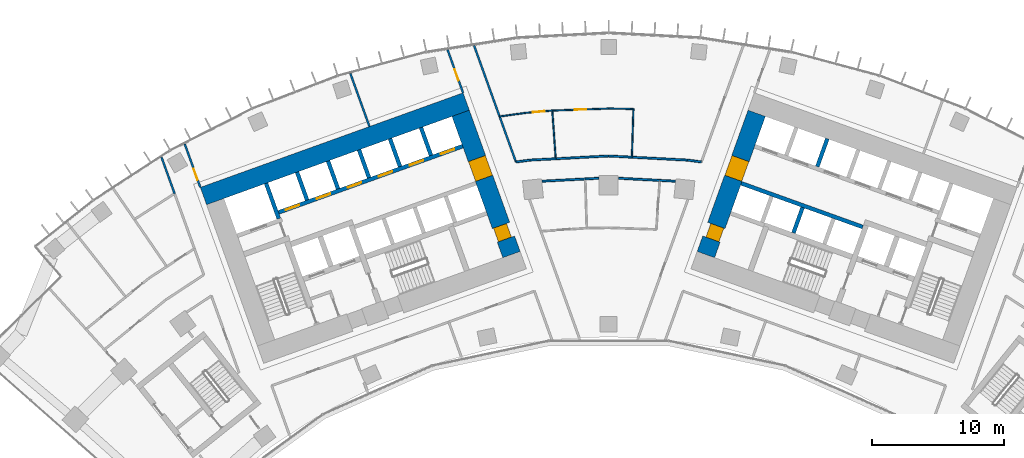
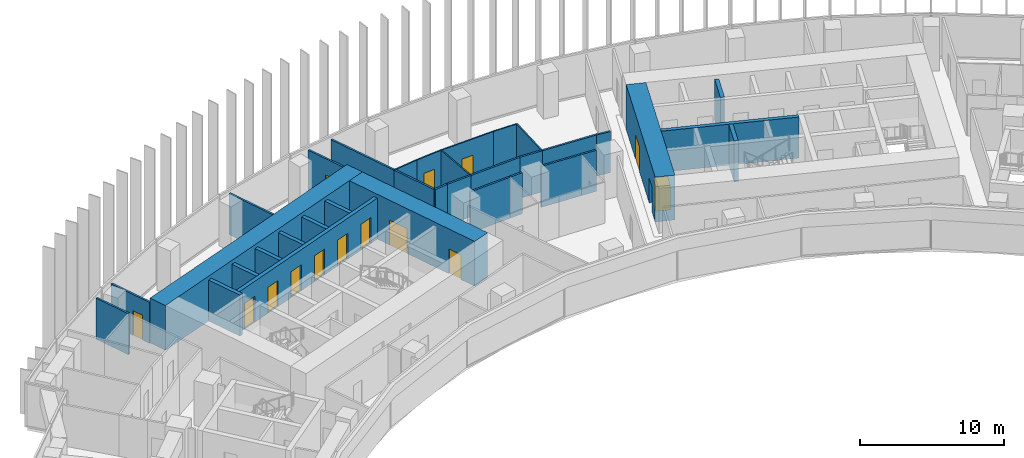
# One storey, part 17 of 22: 35 walls, 14 doors, 14 openings.
"""IFC4 building model written with IfcOpenShell, lengths in metres."""

from ifc_helpers import new_model, si_unit, direction, frame, frame_2d, origin, place, context, subcontext, project, spatial, rectangle, extrude, material, layer, layer_set, type_object, element, fill, save


model = new_model("IFC4")

# Units and contexts
model_context = context("Model", 3, precision=1e-05, world=origin(), true_north=direction((0.0, 1.0)))
body_context = subcontext(model_context, "Body", "Model", "MODEL_VIEW")
ifc_project = project(units=[si_unit("LENGTHUNIT", "METRE"), si_unit("AREAUNIT", "SQUARE_METRE"), si_unit("VOLUMEUNIT", "CUBIC_METRE"), si_unit("PLANEANGLEUNIT", "RADIAN"), si_unit("MASSUNIT", "GRAM", prefix="KILO")], contexts=[model_context])

# Site, building, storey
site_placement = place(None, origin())
site = spatial("IfcSite", under=ifc_project, at=site_placement, CompositionType="ELEMENT")
building_placement = place(site_placement, origin())
building = spatial("IfcBuilding", under=site, at=building_placement, Name="Stone Belt Terrace Tower", CompositionType="ELEMENT")
storey_placement = place(building_placement, frame((0.0, 0.0, 121.199951171875)))
storey = spatial("IfcBuildingStorey", under=building, at=storey_placement, Name="L29", CompositionType="ELEMENT", Elevation=121.199951171875)

# Wall
ifc_material_1 = material(Name="Concrete B80", Category="concrete")
ifc_layer_1 = layer(ifc_material_1, 1.39990234375)
ifc_layer_set_1 = layer_set([ifc_layer_1], Name="Core wall 1400 B80")
wall_type_1 = type_object("IfcWallType", Name="Core wall 1400 B80", PredefinedType="SHEAR", material=ifc_layer_set_1)
wall_1_placement = place(storey_placement, frame((-30.765380859375, 54.18310546875, 0.0), z_axis=(0.0, 0.0, 1.0), x_axis=(0.940919704758, 0.338629752382, 0.0)))
element("IfcWall", 1, at=wall_1_placement, inside=storey, type_object=wall_type_1, Name="Core A wall convex L29", PredefinedType="SHEAR", context=body_context, shape_type="SweptSolid", body=[
    extrude(rectangle(XDim=21.199951171875, YDim=1.39990234375, at=frame_2d((10.60009765625, 0.0))), origin(), (0.0, 0.0, 1.0), 3.800048828125),
])

# Wall, openings, doors
wall_2_placement = place(storey_placement, frame((-7.379150390625, 49.73974609375, 0.0), z_axis=(0.0, 0.0, 1.0), x_axis=(-0.338625431531, 0.940921259788, 0.0)))
wall_2 = element("IfcWall", 2, at=wall_2_placement, inside=storey, type_object=wall_type_1, Name="Core A wall end_b L29", PredefinedType="SHEAR", context=body_context, shape_type="SweptSolid", body=[
    extrude(rectangle(XDim=11.400146484375, YDim=1.39990234375, at=frame_2d((5.7001953125, 0.0))), origin(), (0.0, 0.0, 1.0), 3.800048828125),
])
opening_1_placement = place(wall_2_placement, frame((6.14990234375, 0.0, 0.0)))
opening_1 = element("IfcOpeningElement", 3, at=opening_1_placement, cuts=wall_2, Name="Opening L29-C02", PredefinedType="OPENING", context=body_context, shape_type="SweptSolid", body=[
    extrude(rectangle(XDim=1.60009765625, YDim=2.10009765625, at=frame_2d((0.800048828125, 1.050048828125))), frame((0.0, 0.7099609375, 0.0), z_axis=(0.0, -1.0, 0.0), x_axis=(1.0, 0.0, 0.0)), (0.0, 0.0, 1.0), 1.419921875),
])
opening_2_placement = place(wall_2_placement, frame((1.25, 0.0, 0.0)))
opening_2 = element("IfcOpeningElement", 4, at=opening_2_placement, cuts=wall_2, Name="Opening L29-C08", PredefinedType="OPENING", context=body_context, shape_type="SweptSolid", body=[
    extrude(rectangle(XDim=1.10009765625, YDim=2.10009765625, at=frame_2d((0.550048828125, 1.050048828125))), frame((0.0, 0.7099609375, 0.0), z_axis=(0.0, -1.0, 0.0), x_axis=(1.0, 0.0, 0.0)), (0.0, 0.0, 1.0), 1.419921875),
])
ifc_material_2 = material(Name="Timber door leaf", Category="wood")
door_type_1 = type_object("IfcDoorType", Name="Core room door 1100", OperationType="SINGLE_SWING_LEFT", PredefinedType="DOOR", material=ifc_material_2)
door_1_placement = place(opening_2_placement, origin())
door_1 = element("IfcDoor", 5, at=door_1_placement, inside=storey, type_object=door_type_1, Name="Door to Electrical riser room core A", OperationType="SINGLE_SWING_RIGHT", OverallHeight=2.10009765625, OverallWidth=1.10009765625, PredefinedType="DOOR", context=body_context, shape_type="SweptSolid", body=[
    extrude(rectangle(XDim=1.10009765625, YDim=2.10009765625, at=frame_2d((0.550048828125, 1.050048828125))), frame((0.0, 0.60498046875, 0.0), z_axis=(0.0, -1.0, 0.0), x_axis=(1.0, 0.0, 0.0)), (0.0, 0.0, 1.0), 1.050048828125),
])
fill(opening_2, door_1)
ifc_material_3 = material(Name="Glazed aluminium door leaf", Category="aluminium")
door_type_2 = type_object("IfcDoorType", Name="Lift lobby entrance door 1600", OperationType="DOUBLE_DOOR_SINGLE_SWING", PredefinedType="DOOR", material=ifc_material_3)
door_2_placement = place(opening_1_placement, origin())
door_2 = element("IfcDoor", 6, at=door_2_placement, inside=storey, type_object=door_type_2, Name="Lift lobby entrance door core A", OperationType="DOUBLE_DOOR_SINGLE_SWING", OverallHeight=2.10009765625, OverallWidth=1.60009765625, PredefinedType="DOOR", context=body_context, shape_type="SweptSolid", body=[
    extrude(rectangle(XDim=1.60009765625, YDim=2.10009765625, at=frame_2d((0.800048828125, 1.050048828125))), frame((0.0, 0.68017578125, 0.0), z_axis=(0.0, -1.0, 0.0), x_axis=(1.0, 0.0, 0.0)), (0.0, 0.0, 1.0), 1.360107421875),
])
fill(opening_1, door_2)

wall_3_placement = place(storey_placement, frame((7.379150390625, 49.73974609375, 0.0), z_axis=(0.0, 0.0, 1.0), x_axis=(0.338625431531, 0.940921259788, 0.0)))
wall_3 = element("IfcWall", 7, at=wall_3_placement, inside=storey, type_object=wall_type_1, Name="Core B wall end_a L29", PredefinedType="SHEAR", context=body_context, shape_type="SweptSolid", body=[
    extrude(rectangle(XDim=11.400146484375, YDim=1.39990234375, at=frame_2d((5.7001953125, 0.0))), origin(), (0.0, 0.0, 1.0), 3.800048828125),
])
opening_3_placement = place(wall_3_placement, frame((6.14990234375, 0.0, 0.0)))
opening_3 = element("IfcOpeningElement", 8, at=opening_3_placement, cuts=wall_3, Name="Opening L29-C10", PredefinedType="OPENING", context=body_context, shape_type="SweptSolid", body=[
    extrude(rectangle(XDim=1.60009765625, YDim=2.10009765625, at=frame_2d((0.800048828125, 1.050048828125))), frame((0.0, 0.7099609375, 0.0), z_axis=(0.0, -1.0, 0.0), x_axis=(1.0, 0.0, 0.0)), (0.0, 0.0, 1.0), 1.419921875),
])
opening_4_placement = place(wall_3_placement, frame((1.25, 0.0, 0.0)))
opening_4 = element("IfcOpeningElement", 9, at=opening_4_placement, cuts=wall_3, Name="Opening L29-C16", PredefinedType="OPENING", context=body_context, shape_type="SweptSolid", body=[
    extrude(rectangle(XDim=1.10009765625, YDim=2.10009765625, at=frame_2d((0.550048828125, 1.050048828125))), frame((0.0, 0.7099609375, 0.0), z_axis=(0.0, -1.0, 0.0), x_axis=(1.0, 0.0, 0.0)), (0.0, 0.0, 1.0), 1.419921875),
])
door_3_placement = place(opening_4_placement, origin())
door_3 = element("IfcDoor", 10, at=door_3_placement, inside=storey, type_object=door_type_1, Name="Door to Electrical riser room core B", OperationType="SINGLE_SWING_LEFT", OverallHeight=2.10009765625, OverallWidth=1.10009765625, PredefinedType="DOOR", context=body_context, shape_type="SweptSolid", body=[
    extrude(rectangle(XDim=1.10009765625, YDim=2.10009765625, at=frame_2d((0.550048828125, 1.050048828125))), frame((0.0, 0.44482421875, 0.0), z_axis=(0.0, -1.0, 0.0), x_axis=(1.0, 0.0, 0.0)), (0.0, 0.0, 1.0), 1.050048828125),
])
fill(opening_4, door_3)
door_4_placement = place(opening_3_placement, origin())
door_4 = element("IfcDoor", 11, at=door_4_placement, inside=storey, type_object=door_type_2, Name="Lift lobby entrance door core B", OperationType="DOUBLE_DOOR_SINGLE_SWING", OverallHeight=2.10009765625, OverallWidth=1.60009765625, PredefinedType="DOOR", context=body_context, shape_type="SweptSolid", body=[
    extrude(rectangle(XDim=1.60009765625, YDim=2.10009765625, at=frame_2d((0.800048828125, 1.050048828125))), frame((0.0, 0.68017578125, 0.0), z_axis=(0.0, -1.0, 0.0), x_axis=(1.0, 0.0, 0.0)), (0.0, 0.0, 1.0), 1.360107421875),
])
fill(opening_3, door_4)

# Wall
ifc_layer_2 = layer(ifc_material_1, 0.300048828125)
ifc_layer_set_2 = layer_set([ifc_layer_2], Name="Lift shaft wall 300")
wall_type_2 = type_object("IfcWallType", Name="Lift shaft wall 300", PredefinedType="SHEAR", material=ifc_layer_set_2)
wall_4_placement = place(storey_placement, frame((-25.046875, 52.46826171875, 0.0), z_axis=(0.0, 0.0, 1.0), x_axis=(-0.338549588058, 0.940948551423, 0.0)))
element("IfcWall", 12, at=wall_4_placement, inside=storey, type_object=wall_type_2, Name="Core A wall", PredefinedType="SHEAR", context=body_context, shape_type="SweptSolid", body=[
    extrude(rectangle(XDim=2.849853515625, YDim=0.300048828125, at=frame_2d((1.4248046875, 0.0))), origin(), (0.0, 0.0, 1.0), 3.47998046875),
])

# Wall, openings, doors
wall_5_placement = place(storey_placement, frame((-25.05810546875, 52.9423828125, 0.0), z_axis=(0.0, 0.0, 1.0), x_axis=(0.940918215764, 0.338633889685, 0.0)))
wall_5 = element("IfcWall", 13, at=wall_5_placement, inside=storey, type_object=wall_type_2, Name="Core A wall", PredefinedType="SHEAR", context=body_context, shape_type="SweptSolid", body=[
    extrude(rectangle(XDim=14.850341796875, YDim=0.300048828125, at=frame_2d((7.42529296875, 0.0))), origin(), (0.0, 0.0, 1.0), 3.47998046875),
])
opening_5_placement = place(wall_5_placement, frame((0.570068359375, 0.0, 0.0)))
opening_5 = element("IfcOpeningElement", 14, at=opening_5_placement, cuts=wall_5, Name="Opening L29-LD01", PredefinedType="OPENING", context=body_context, shape_type="SweptSolid", body=[
    extrude(rectangle(XDim=1.10009765625, YDim=2.199951171875, at=frame_2d((0.550048828125, 1.10009765625))), frame((0.0, 0.159912109375, 0.0), z_axis=(0.0, -1.0, 0.0), x_axis=(1.0, 0.0, 0.0)), (0.0, 0.0, 1.0), 0.320068359375),
])
opening_6_placement = place(wall_5_placement, frame((3.070068359375, 0.0, 0.0)))
opening_6 = element("IfcOpeningElement", 15, at=opening_6_placement, cuts=wall_5, Name="Opening L29-LD02", PredefinedType="OPENING", context=body_context, shape_type="SweptSolid", body=[
    extrude(rectangle(XDim=1.10009765625, YDim=2.199951171875, at=frame_2d((0.550048828125, 1.10009765625))), frame((0.0, 0.159912109375, 0.0), z_axis=(0.0, -1.0, 0.0), x_axis=(1.0, 0.0, 0.0)), (0.0, 0.0, 1.0), 0.320068359375),
])
opening_7_placement = place(wall_5_placement, frame((5.570068359375, 0.0, 0.0)))
opening_7 = element("IfcOpeningElement", 16, at=opening_7_placement, cuts=wall_5, Name="Opening L29-LD03", PredefinedType="OPENING", context=body_context, shape_type="SweptSolid", body=[
    extrude(rectangle(XDim=1.10009765625, YDim=2.199951171875, at=frame_2d((0.550048828125, 1.10009765625))), frame((0.0, 0.159912109375, 0.0), z_axis=(0.0, -1.0, 0.0), x_axis=(1.0, 0.0, 0.0)), (0.0, 0.0, 1.0), 0.320068359375),
])
opening_8_placement = place(wall_5_placement, frame((8.070068359375, 0.0, 0.0)))
opening_8 = element("IfcOpeningElement", 17, at=opening_8_placement, cuts=wall_5, Name="Opening L29-LD04", PredefinedType="OPENING", context=body_context, shape_type="SweptSolid", body=[
    extrude(rectangle(XDim=1.10009765625, YDim=2.199951171875, at=frame_2d((0.550048828125, 1.10009765625))), frame((0.0, 0.159912109375, 0.0), z_axis=(0.0, -1.0, 0.0), x_axis=(1.0, 0.0, 0.0)), (0.0, 0.0, 1.0), 0.320068359375),
])
opening_9_placement = place(wall_5_placement, frame((10.570068359375, 0.0, 0.0)))
opening_9 = element("IfcOpeningElement", 18, at=opening_9_placement, cuts=wall_5, Name="Opening L29-LD05", PredefinedType="OPENING", context=body_context, shape_type="SweptSolid", body=[
    extrude(rectangle(XDim=1.10009765625, YDim=2.199951171875, at=frame_2d((0.550048828125, 1.10009765625))), frame((0.0, 0.159912109375, 0.0), z_axis=(0.0, -1.0, 0.0), x_axis=(1.0, 0.0, 0.0)), (0.0, 0.0, 1.0), 0.320068359375),
])
opening_10_placement = place(wall_5_placement, frame((13.070068359375, 0.0, 0.0)))
opening_10 = element("IfcOpeningElement", 19, at=opening_10_placement, cuts=wall_5, Name="Opening L29-LD06", PredefinedType="OPENING", context=body_context, shape_type="SweptSolid", body=[
    extrude(rectangle(XDim=1.10009765625, YDim=2.199951171875, at=frame_2d((0.550048828125, 1.10009765625))), frame((0.0, 0.159912109375, 0.0), z_axis=(0.0, -1.0, 0.0), x_axis=(1.0, 0.0, 0.0)), (0.0, 0.0, 1.0), 0.320068359375),
])
ifc_material_4 = material(Name="Stainless steel door leaf", Category="steel")
door_type_3 = type_object("IfcDoorType", Name="Landing door 1100", OperationType="SLIDING_TO_LEFT", PredefinedType="DOOR", material=ifc_material_4)
door_5_placement = place(opening_5_placement, origin())
door_5 = element("IfcDoor", 20, at=door_5_placement, inside=storey, type_object=door_type_3, Name="Landing door LR1 core A", OperationType="SLIDING_TO_LEFT", OverallHeight=2.199951171875, OverallWidth=1.10009765625, PredefinedType="DOOR", context=body_context, shape_type="SweptSolid", body=[
    extrude(rectangle(XDim=1.10009765625, YDim=2.199951171875, at=frame_2d((0.550048828125, 1.10009765625))), frame((0.0, 0.02490234375, 0.0), z_axis=(0.0, -1.0, 0.0), x_axis=(1.0, 0.0, 0.0)), (0.0, 0.0, 1.0), 0.050048828125),
])
fill(opening_5, door_5)
door_6_placement = place(opening_6_placement, origin())
door_6 = element("IfcDoor", 21, at=door_6_placement, inside=storey, type_object=door_type_3, Name="Landing door LR2 core A", OperationType="SLIDING_TO_LEFT", OverallHeight=2.199951171875, OverallWidth=1.10009765625, PredefinedType="DOOR", context=body_context, shape_type="SweptSolid", body=[
    extrude(rectangle(XDim=1.10009765625, YDim=2.199951171875, at=frame_2d((0.550048828125, 1.10009765625))), frame((0.0, 0.02490234375, 0.0), z_axis=(0.0, -1.0, 0.0), x_axis=(1.0, 0.0, 0.0)), (0.0, 0.0, 1.0), 0.050048828125),
])
fill(opening_6, door_6)
door_7_placement = place(opening_7_placement, origin())
door_7 = element("IfcDoor", 22, at=door_7_placement, inside=storey, type_object=door_type_3, Name="Landing door LR3 core A", OperationType="SLIDING_TO_LEFT", OverallHeight=2.199951171875, OverallWidth=1.10009765625, PredefinedType="DOOR", context=body_context, shape_type="SweptSolid", body=[
    extrude(rectangle(XDim=1.10009765625, YDim=2.199951171875, at=frame_2d((0.550048828125, 1.10009765625))), frame((0.0, 0.02490234375, 0.0), z_axis=(0.0, -1.0, 0.0), x_axis=(1.0, 0.0, 0.0)), (0.0, 0.0, 1.0), 0.050048828125),
])
fill(opening_7, door_7)
door_8_placement = place(opening_8_placement, origin())
door_8 = element("IfcDoor", 23, at=door_8_placement, inside=storey, type_object=door_type_3, Name="Landing door LR4 core A", OperationType="SLIDING_TO_LEFT", OverallHeight=2.199951171875, OverallWidth=1.10009765625, PredefinedType="DOOR", context=body_context, shape_type="SweptSolid", body=[
    extrude(rectangle(XDim=1.10009765625, YDim=2.199951171875, at=frame_2d((0.550048828125, 1.10009765625))), frame((0.0, 0.02490234375, 0.0), z_axis=(0.0, -1.0, 0.0), x_axis=(1.0, 0.0, 0.0)), (0.0, 0.0, 1.0), 0.050048828125),
])
fill(opening_8, door_8)
door_9_placement = place(opening_9_placement, origin())
door_9 = element("IfcDoor", 24, at=door_9_placement, inside=storey, type_object=door_type_3, Name="Landing door LR5 core A", OperationType="SLIDING_TO_LEFT", OverallHeight=2.199951171875, OverallWidth=1.10009765625, PredefinedType="DOOR", context=body_context, shape_type="SweptSolid", body=[
    extrude(rectangle(XDim=1.10009765625, YDim=2.199951171875, at=frame_2d((0.550048828125, 1.10009765625))), frame((0.0, 0.02490234375, 0.0), z_axis=(0.0, -1.0, 0.0), x_axis=(1.0, 0.0, 0.0)), (0.0, 0.0, 1.0), 0.050048828125),
])
fill(opening_9, door_9)
door_10_placement = place(opening_10_placement, origin())
door_10 = element("IfcDoor", 25, at=door_10_placement, inside=storey, type_object=door_type_3, Name="Landing door LR6 core A", OperationType="SLIDING_TO_LEFT", OverallHeight=2.199951171875, OverallWidth=1.10009765625, PredefinedType="DOOR", context=body_context, shape_type="SweptSolid", body=[
    extrude(rectangle(XDim=1.10009765625, YDim=2.199951171875, at=frame_2d((0.550048828125, 1.10009765625))), frame((0.0, 0.02490234375, 0.0), z_axis=(0.0, -1.0, 0.0), x_axis=(1.0, 0.0, 0.0)), (0.0, 0.0, 1.0), 0.050048828125),
])
fill(opening_10, door_10)

# Walls
wall_6_placement = place(storey_placement, frame((-22.897705078125, 53.87939453125, 0.0), z_axis=(0.0, 0.0, 1.0), x_axis=(-0.338535034312, 0.940953787677, 0.0)))
element("IfcWall", 26, at=wall_6_placement, inside=storey, type_object=wall_type_2, Name="Core A wall", PredefinedType="SHEAR", context=body_context, shape_type="SweptSolid", body=[
    extrude(rectangle(XDim=2.25, YDim=0.300048828125, at=frame_2d((1.125, 0.0))), origin(), (0.0, 0.0, 1.0), 3.47998046875),
])
wall_7_placement = place(storey_placement, frame((-20.54541015625, 54.72607421875, 0.0), z_axis=(0.0, 0.0, 1.0), x_axis=(-0.338569601369, 0.940941350472, 0.0)))
element("IfcWall", 27, at=wall_7_placement, inside=storey, type_object=wall_type_2, Name="Core A wall", PredefinedType="SHEAR", context=body_context, shape_type="SweptSolid", body=[
    extrude(rectangle(XDim=2.249755859375, YDim=0.300048828125, at=frame_2d((1.125, 0.0))), origin(), (0.0, 0.0, 1.0), 3.47998046875),
])
wall_8_placement = place(storey_placement, frame((-18.193115234375, 55.572509765625, 0.0), z_axis=(0.0, 0.0, 1.0), x_axis=(-0.338535034312, 0.940953787677, 0.0)))
element("IfcWall", 28, at=wall_8_placement, inside=storey, type_object=wall_type_2, Name="Core A wall", PredefinedType="SHEAR", context=body_context, shape_type="SweptSolid", body=[
    extrude(rectangle(XDim=2.25, YDim=0.300048828125, at=frame_2d((1.125, 0.0))), origin(), (0.0, 0.0, 1.0), 3.47998046875),
])
wall_9_placement = place(storey_placement, frame((-15.8408203125, 56.419189453125, 0.0), z_axis=(0.0, 0.0, 1.0), x_axis=(-0.338569601369, 0.940941350472, 0.0)))
element("IfcWall", 29, at=wall_9_placement, inside=storey, type_object=wall_type_2, Name="Core A wall", PredefinedType="SHEAR", context=body_context, shape_type="SweptSolid", body=[
    extrude(rectangle(XDim=2.249755859375, YDim=0.300048828125, at=frame_2d((1.125, 0.0))), origin(), (0.0, 0.0, 1.0), 3.47998046875),
])
wall_10_placement = place(storey_placement, frame((-13.48828125, 57.265625, 0.0), z_axis=(0.0, 0.0, 1.0), x_axis=(-0.338631098537, 0.940919220286, 0.0)))
element("IfcWall", 30, at=wall_10_placement, inside=storey, type_object=wall_type_2, Name="Core A wall", PredefinedType="SHEAR", context=body_context, shape_type="SweptSolid", body=[
    extrude(rectangle(XDim=2.250244140625, YDim=0.300048828125, at=frame_2d((1.125, 0.0))), origin(), (0.0, 0.0, 1.0), 3.47998046875),
])
wall_11_placement = place(storey_placement, frame((19.29052734375, 51.829833984375, 0.0), z_axis=(0.0, 0.0, 1.0), x_axis=(-0.940925833398, 0.338612722803, 0.0)))
element("IfcWall", 31, at=wall_11_placement, inside=storey, type_object=wall_type_2, Name="Core B wall", PredefinedType="SHEAR", context=body_context, shape_type="SweptSolid", body=[
    extrude(rectangle(XDim=9.7998046875, YDim=0.300048828125, at=frame_2d((4.89990234375, 0.0))), origin(), (0.0, 0.0, 1.0), 3.47998046875),
])
wall_12_placement = place(storey_placement, frame((14.029052734375, 51.38525390625, 0.0), z_axis=(0.0, 0.0, 1.0), x_axis=(0.338681515556, 0.940901073982, 0.0)))
element("IfcWall", 32, at=wall_12_placement, inside=storey, type_object=wall_type_2, Name="Core B wall", PredefinedType="SHEAR", context=body_context, shape_type="SweptSolid", body=[
    extrude(rectangle(XDim=2.050048828125, YDim=0.300048828125, at=frame_2d((1.02490234375, 0.0))), origin(), (0.0, 0.0, 1.0), 3.47998046875),
])
wall_13_placement = place(storey_placement, frame((15.8408203125, 56.419189453125, 0.0), z_axis=(0.0, 0.0, 1.0), x_axis=(0.338569601369, 0.940941350472, 0.0)))
element("IfcWall", 33, at=wall_13_placement, inside=storey, type_object=wall_type_2, Name="Core B wall", PredefinedType="SHEAR", context=body_context, shape_type="SweptSolid", body=[
    extrude(rectangle(XDim=2.249755859375, YDim=0.300048828125, at=frame_2d((1.125, 0.0))), origin(), (0.0, 0.0, 1.0), 3.47998046875),
])

# Wall, opening, door
ifc_material_5 = material(Name="Gypsum board partition")
ifc_layer_3 = layer(ifc_material_5, 0.10009765625)
ifc_layer_set_3 = layer_set([ifc_layer_3], Name="PARTITION 100")
wall_type_3 = type_object("IfcWallType", Name="PARTITION 100", PredefinedType="PARTITIONING", material=ifc_layer_set_3)
wall_14_placement = place(storey_placement, frame((-4.281005859375, 60.674072265625, 0.0), z_axis=(0.0, 0.0, 1.0), x_axis=(-0.996177048446, -0.087357244404, 0.0)))
wall_14 = element("IfcWall", 34, at=wall_14_placement, inside=storey, type_object=wall_type_3, Name="L29/wall/i100", PredefinedType="PARTITIONING", context=body_context, shape_type="SweptSolid", body=[
    extrude(rectangle(XDim=2.0849609375, YDim=0.10009765625, at=frame_2d((1.04248046875, 0.0))), origin(), (0.0, 0.0, 1.0), 3.47998046875),
])
opening_11_placement = place(wall_14_placement, frame((0.592529296875, 0.0, 0.0)))
opening_11 = element("IfcOpeningElement", 35, at=opening_11_placement, cuts=wall_14, Name="Opening D-B4-32", PredefinedType="OPENING", context=body_context, shape_type="SweptSolid", body=[
    extrude(rectangle(XDim=0.89990234375, YDim=2.10009765625, at=frame_2d((0.449951171875, 1.050048828125))), frame((0.0, 0.06005859375, 0.0), z_axis=(0.0, -1.0, 0.0), x_axis=(1.0, 0.0, 0.0)), (0.0, 0.0, 1.0), 0.1201171875),
])
door_type_4 = type_object("IfcDoorType", Name="OFFICE DOOR 900 X 2100", OperationType="NOTDEFINED", PredefinedType="DOOR", material=ifc_material_2)
door_11_placement = place(opening_11_placement, origin())
door_11 = element("IfcDoor", 36, at=door_11_placement, inside=storey, type_object=door_type_4, Name="L29/door/i32", OperationType="SINGLE_SWING_RIGHT", OverallHeight=2.10009765625, OverallWidth=0.89990234375, PredefinedType="DOOR", context=body_context, shape_type="SweptSolid", body=[
    extrude(rectangle(XDim=0.89990234375, YDim=2.10009765625, at=frame_2d((0.449951171875, 1.050048828125))), frame((0.0, 0.02490234375, 0.0), z_axis=(0.0, -1.0, 0.0), x_axis=(1.0, 0.0, 0.0)), (0.0, 0.0, 1.0), 0.050048828125),
])
fill(opening_11, door_11)

# Walls
wall_15_placement = place(storey_placement, frame((-6.35791015625, 60.491943359375, 0.0), z_axis=(0.0, 0.0, 1.0), x_axis=(-0.990460391638, -0.137797723478, 0.0)))
element("IfcWall", 37, at=wall_15_placement, inside=storey, type_object=wall_type_3, Name="L29/wall/i101", PredefinedType="PARTITIONING", context=body_context, shape_type="SweptSolid", body=[
    extrude(rectangle(XDim=1.943603515625, YDim=0.10009765625, at=frame_2d((0.9716796875, 0.0))), origin(), (0.0, 0.0, 1.0), 3.47998046875),
])
wall_16_placement = place(storey_placement, frame((1.762939453125, 57.133056640625, 0.0), z_axis=(0.0, 0.0, 1.0), x_axis=(0.031112039382, 0.999515903328, 0.0)))
element("IfcWall", 38, at=wall_16_placement, inside=storey, type_object=wall_type_3, Name="L29/wall/i102", PredefinedType="PARTITIONING", context=body_context, shape_type="SweptSolid", body=[
    extrude(rectangle(XDim=3.66455078125, YDim=0.10009765625, at=frame_2d((1.832275390625, 0.0))), origin(), (0.0, 0.0, 1.0), 3.47998046875),
])
wall_17_placement = place(storey_placement, frame((1.876953125, 60.7958984375, 0.0), z_axis=(0.0, 0.0, 1.0), x_axis=(-0.999880226939, 0.015476814127, 0.0)))
element("IfcWall", 39, at=wall_17_placement, inside=storey, type_object=wall_type_3, Name="L29/wall/i103", PredefinedType="PARTITIONING", context=body_context, shape_type="SweptSolid", body=[
    extrude(rectangle(XDim=1.877197265625, YDim=0.10009765625, at=frame_2d((0.9384765625, 0.0))), origin(), (0.0, 0.0, 1.0), 3.47998046875),
])

# Wall, opening, door
wall_18_placement = place(storey_placement, frame((0.0, 60.824951171875, 0.0), z_axis=(0.0, 0.0, 1.0), x_axis=(-0.999379515327, -0.035221929882, 0.0)))
wall_18 = element("IfcWall", 40, at=wall_18_placement, inside=storey, type_object=wall_type_3, Name="L29/wall/i104", PredefinedType="PARTITIONING", context=body_context, shape_type="SweptSolid", body=[
    extrude(rectangle(XDim=4.28369140625, YDim=0.10009765625, at=frame_2d((2.141845703125, 0.0))), origin(), (0.0, 0.0, 1.0), 3.47998046875),
])
opening_12_placement = place(wall_18_placement, frame((1.69189453125, 0.0, 0.0)))
opening_12 = element("IfcOpeningElement", 41, at=opening_12_placement, cuts=wall_18, Name="Opening D-B4-33", PredefinedType="OPENING", context=body_context, shape_type="SweptSolid", body=[
    extrude(rectangle(XDim=0.89990234375, YDim=2.10009765625, at=frame_2d((0.449951171875, 1.050048828125))), frame((0.0, 0.06005859375, 0.0), z_axis=(0.0, -1.0, 0.0), x_axis=(1.0, 0.0, 0.0)), (0.0, 0.0, 1.0), 0.1201171875),
])
door_12_placement = place(opening_12_placement, origin())
door_12 = element("IfcDoor", 42, at=door_12_placement, inside=storey, type_object=door_type_4, Name="L29/door/i33", OperationType="SINGLE_SWING_RIGHT", OverallHeight=2.10009765625, OverallWidth=0.89990234375, PredefinedType="DOOR", context=body_context, shape_type="SweptSolid", body=[
    extrude(rectangle(XDim=0.89990234375, YDim=2.10009765625, at=frame_2d((0.449951171875, 1.050048828125))), frame((0.0, 0.02490234375, 0.0), z_axis=(0.0, -1.0, 0.0), x_axis=(1.0, 0.0, 0.0)), (0.0, 0.0, 1.0), 0.050048828125),
])
fill(opening_12, door_12)

# Wall
wall_19_placement = place(storey_placement, frame((-4.281005859375, 60.674072265625, 0.0), z_axis=(0.0, 0.0, 1.0), x_axis=(0.070613257155, -0.997503768371, 0.0)))
element("IfcWall", 43, at=wall_19_placement, inside=storey, type_object=wall_type_3, Name="L29/wall/i105", PredefinedType="PARTITIONING", context=body_context, shape_type="SweptSolid", body=[
    extrude(rectangle(XDim=3.66845703125, YDim=0.10009765625, at=frame_2d((1.834228515625, 0.0))), origin(), (0.0, 0.0, 1.0), 3.47998046875),
])

# Wall, opening, door
ifc_layer_4 = layer(ifc_material_5, 0.14990234375)
ifc_layer_set_4 = layer_set([ifc_layer_4], Name="PARTITION 150 EI 60")
wall_type_4 = type_object("IfcWallType", Name="PARTITION 150 EI 60", PredefinedType="PARTITIONING", material=ifc_layer_set_4)
wall_20_placement = place(storey_placement, frame((-32.185791015625, 58.131103515625, 0.0), z_axis=(0.0, 0.0, 1.0), x_axis=(0.338662585219, -0.940907887826, 0.0)))
wall_20 = element("IfcWall", 44, at=wall_20_placement, inside=storey, type_object=wall_type_4, Name="L29/wall/i002", PredefinedType="PARTITIONING", context=body_context, shape_type="SweptSolid", body=[
    extrude(rectangle(XDim=3.49560546875, YDim=0.14990234375, at=frame_2d((1.747802734375, 0.0))), origin(), (0.0, 0.0, 1.0), 3.47998046875),
])
opening_13_placement = place(wall_20_placement, frame((1.996337890625, 0.0, 0.0)))
opening_13 = element("IfcOpeningElement", 45, at=opening_13_placement, cuts=wall_20, Name="Opening D-B4-04", PredefinedType="OPENING", context=body_context, shape_type="SweptSolid", body=[
    extrude(rectangle(XDim=0.89990234375, YDim=2.10009765625, at=frame_2d((0.449951171875, 1.050048828125))), frame((0.0, 0.0849609375, 0.0), z_axis=(0.0, -1.0, 0.0), x_axis=(1.0, 0.0, 0.0)), (0.0, 0.0, 1.0), 0.169921875),
])
door_13_placement = place(opening_13_placement, origin())
door_13 = element("IfcDoor", 46, at=door_13_placement, inside=storey, type_object=door_type_4, Name="L29/door/i04", OperationType="SINGLE_SWING_RIGHT", OverallHeight=2.10009765625, OverallWidth=0.89990234375, PredefinedType="DOOR", context=body_context, shape_type="SweptSolid", body=[
    extrude(rectangle(XDim=0.89990234375, YDim=2.10009765625, at=frame_2d((0.449951171875, 1.050048828125))), frame((0.0, 0.02490234375, 0.0), z_axis=(0.0, -1.0, 0.0), x_axis=(1.0, 0.0, 0.0)), (0.0, 0.0, 1.0), 0.050048828125),
])
fill(opening_13, door_13)

# Wall
wall_21_placement = place(storey_placement, frame((-32.95703125, 54.365966796875, 0.0), z_axis=(0.0, 0.0, 1.0), x_axis=(-0.338545891474, 0.940949881432, 0.0)))
element("IfcWall", 47, at=wall_21_placement, inside=storey, type_object=wall_type_4, Name="L29/wall/i007", PredefinedType="PARTITIONING", context=body_context, shape_type="SweptSolid", body=[
    extrude(rectangle(XDim=2.938720703125, YDim=0.14990234375, at=frame_2d((1.46923828125, 0.0))), origin(), (0.0, 0.0, 1.0), 3.47998046875),
])

# Wall, opening, door
wall_22_placement = place(storey_placement, frame((-11.054931640625, 62.02099609375, 0.0), z_axis=(0.0, 0.0, 1.0), x_axis=(-0.338853532575, 0.94083913793, 0.0)))
wall_22 = element("IfcWall", 48, at=wall_22_placement, inside=storey, type_object=wall_type_4, Name="L29/wall/i009", PredefinedType="PARTITIONING", context=body_context, shape_type="SweptSolid", body=[
    extrude(rectangle(XDim=3.482177734375, YDim=0.14990234375, at=frame_2d((1.7412109375, 0.0))), origin(), (0.0, 0.0, 1.0), 3.47998046875),
])
opening_14_placement = place(wall_22_placement, frame((0.99365234375, 0.0, 0.0)))
opening_14 = element("IfcOpeningElement", 49, at=opening_14_placement, cuts=wall_22, Name="Opening D-B4-05", PredefinedType="OPENING", context=body_context, shape_type="SweptSolid", body=[
    extrude(rectangle(XDim=0.89990234375, YDim=2.10009765625, at=frame_2d((0.449951171875, 1.050048828125))), frame((0.0, 0.0849609375, 0.0), z_axis=(0.0, -1.0, 0.0), x_axis=(1.0, 0.0, 0.0)), (0.0, 0.0, 1.0), 0.169921875),
])
door_14_placement = place(opening_14_placement, origin())
door_14 = element("IfcDoor", 50, at=door_14_placement, inside=storey, type_object=door_type_4, Name="L29/door/i05", OperationType="SINGLE_SWING_LEFT", OverallHeight=2.10009765625, OverallWidth=0.89990234375, PredefinedType="DOOR", context=body_context, shape_type="SweptSolid", body=[
    extrude(rectangle(XDim=0.89990234375, YDim=2.10009765625, at=frame_2d((0.449951171875, 1.050048828125))), frame((0.0, 0.02490234375, 0.0), z_axis=(0.0, -1.0, 0.0), x_axis=(1.0, 0.0, 0.0)), (0.0, 0.0, 1.0), 0.050048828125),
])
fill(opening_14, door_14)

# Walls
wall_23_placement = place(storey_placement, frame((-10.223876953125, 65.6162109375, 0.0), z_axis=(0.0, 0.0, 1.0), x_axis=(0.338645630419, -0.940913990223, 0.0)))
element("IfcWall", 51, at=wall_23_placement, inside=storey, type_object=wall_type_4, Name="L29/wall/i012", PredefinedType="PARTITIONING", context=body_context, shape_type="SweptSolid", body=[
    extrude(rectangle(XDim=5.737060546875, YDim=0.14990234375, at=frame_2d((2.86865234375, 0.0))), origin(), (0.0, 0.0, 1.0), 3.47998046875),
])
wall_24_placement = place(storey_placement, frame((-8.284912109375, 60.22998046875, 0.0), z_axis=(0.0, 0.0, 1.0), x_axis=(0.338529182342, -0.94095589307, 0.0)))
element("IfcWall", 52, at=wall_24_placement, inside=storey, type_object=wall_type_4, Name="L29/wall/i013", PredefinedType="PARTITIONING", context=body_context, shape_type="SweptSolid", body=[
    extrude(rectangle(XDim=3.68017578125, YDim=0.14990234375, at=frame_2d((1.840087890625, 0.0))), origin(), (0.0, 0.0, 1.0), 3.47998046875),
])
wall_25_placement = place(storey_placement, frame((-19.614990234375, 63.4951171875, 0.0), z_axis=(0.0, 0.0, 1.0), x_axis=(0.338782001983, -0.940864897386, 0.0)))
element("IfcWall", 53, at=wall_25_placement, inside=storey, type_object=wall_type_4, Name="L29/wall/i020", PredefinedType="PARTITIONING", context=body_context, shape_type="SweptSolid", body=[
    extrude(rectangle(XDim=4.28564453125, YDim=0.14990234375, at=frame_2d((2.142822265625, 0.0))), origin(), (0.0, 0.0, 1.0), 3.47998046875),
])
wall_26_placement = place(storey_placement, frame((5.05419921875, 55.310302734375, 0.0), z_axis=(0.0, 0.0, 1.0), x_axis=(-0.998637698263, 0.052179954081, 0.0)))
element("IfcWall", 54, at=wall_26_placement, inside=storey, type_object=wall_type_4, Name="L29/wall/i085", PredefinedType="PARTITIONING", context=body_context, shape_type="SweptSolid", body=[
    extrude(rectangle(XDim=1.183837890625, YDim=0.14990234375, at=frame_2d((0.591796875, 0.0))), origin(), (0.0, 0.0, 1.0), 3.47998046875),
])
wall_27_placement = place(storey_placement, frame((-1.777099609375, 55.48193359375, 0.0), z_axis=(0.0, 0.0, 1.0), x_axis=(-0.998635243158, -0.052226919519, 0.0)))
element("IfcWall", 55, at=wall_27_placement, inside=storey, type_object=wall_type_4, Name="L29/wall/i086", PredefinedType="PARTITIONING", context=body_context, shape_type="SweptSolid", body=[
    extrude(rectangle(XDim=3.281494140625, YDim=0.14990234375, at=frame_2d((1.640625, 0.0))), origin(), (0.0, 0.0, 1.0), 3.47998046875),
])
wall_28_placement = place(storey_placement, frame((3.884033203125, 55.3720703125, 0.0), z_axis=(0.0, 0.0, 1.0), x_axis=(-0.998636491381, 0.052203046674, 0.0)))
element("IfcWall", 56, at=wall_28_placement, inside=storey, type_object=wall_type_4, Name="L29/wall/i087", PredefinedType="PARTITIONING", context=body_context, shape_type="SweptSolid", body=[
    extrude(rectangle(XDim=3.13330078125, YDim=0.14990234375, at=frame_2d((1.566650390625, 0.0))), origin(), (0.0, 0.0, 1.0), 3.47998046875),
])
wall_29_placement = place(storey_placement, frame((-0.7548828125, 55.535400390625, 0.0), z_axis=(0.0, 0.0, 1.0), x_axis=(-0.998617178026, -0.052571206492, 0.0)))
element("IfcWall", 57, at=wall_29_placement, inside=storey, type_object=wall_type_4, Name="L29/wall/i088", PredefinedType="PARTITIONING", context=body_context, shape_type="SweptSolid", body=[
    extrude(rectangle(XDim=1.03564453125, YDim=0.14990234375, at=frame_2d((0.517822265625, 0.0))), origin(), (0.0, 0.0, 1.0), 3.47998046875),
])
wall_30_placement = place(storey_placement, frame((1.757080078125, 57.133056640625, 0.0), z_axis=(0.0, 0.0, 1.0), x_axis=(0.998635309304, -0.052225654719, 0.0)))
element("IfcWall", 58, at=wall_30_placement, inside=storey, type_object=wall_type_4, Name="L29/wall/i089", PredefinedType="PARTITIONING", context=body_context, shape_type="SweptSolid", body=[
    extrude(rectangle(XDim=4.230712890625, YDim=0.14990234375, at=frame_2d((2.115234375, 0.0))), origin(), (0.0, 0.0, 1.0), 3.47998046875),
])
for number, where, z_axis, x_axis, name in (
    (59, (5.98193359375, 56.912109375, 0.0), (0.0, 0.0, 1.0), (0.991477617634, -0.130277142013, 0.0), "L29/wall/i090"),
    (60, (-7.041015625, 56.77294921875, 0.0), (0.0, 0.0, 1.0), (0.991477617634, 0.130277142013, 0.0), "L29/wall/i091"),
):
    element("IfcWall", number, at=place(storey_placement, frame(where, z_axis=z_axis, x_axis=x_axis)), inside=storey, type_object=wall_type_4, Name=name, PredefinedType="PARTITIONING", context=body_context, shape_type="SweptSolid", body=[
        extrude(rectangle(XDim=1.068115234375, YDim=0.14990234375, at=frame_2d((0.5341796875, 0.0))), origin(), (0.0, 0.0, 1.0), 3.47998046875),
    ])
wall_31_placement = place(storey_placement, frame((-5.98193359375, 56.912109375, 0.0), z_axis=(0.0, 0.0, 1.0), x_axis=(0.998635927849, 0.052213825835, 0.0)))
element("IfcWall", 61, at=wall_31_placement, inside=storey, type_object=wall_type_4, Name="L29/wall/i092", PredefinedType="PARTITIONING", context=body_context, shape_type="SweptSolid", body=[
    extrude(rectangle(XDim=1.968505859375, YDim=0.14990234375, at=frame_2d((0.984375, 0.0))), origin(), (0.0, 0.0, 1.0), 3.47998046875),
])
wall_32_placement = place(storey_placement, frame((-4.028076171875, 57.013916015625, 0.0), z_axis=(0.0, 0.0, 1.0), x_axis=(0.998628509472, 0.052355516134, 0.0)))
element("IfcWall", 62, at=wall_32_placement, inside=storey, type_object=wall_type_4, Name="L29/wall/i093", PredefinedType="PARTITIONING", context=body_context, shape_type="SweptSolid", body=[
    extrude(rectangle(XDim=4.03369140625, YDim=0.14990234375, at=frame_2d((2.016845703125, 0.0))), origin(), (0.0, 0.0, 1.0), 3.47998046875),
])
wall_33_placement = place(storey_placement, frame((0.0, 57.22509765625, 0.0), z_axis=(0.0, 0.0, 1.0), x_axis=(0.998620493014, -0.052508198708, 0.0)))
element("IfcWall", 63, at=wall_33_placement, inside=storey, type_object=wall_type_4, Name="L29/wall/i094", PredefinedType="PARTITIONING", context=body_context, shape_type="SweptSolid", body=[
    extrude(rectangle(XDim=1.771484375, YDim=0.14990234375, at=frame_2d((0.8857421875, 0.0))), origin(), (0.0, 0.0, 1.0), 3.47998046875),
])

save(model, "model.ifc")
